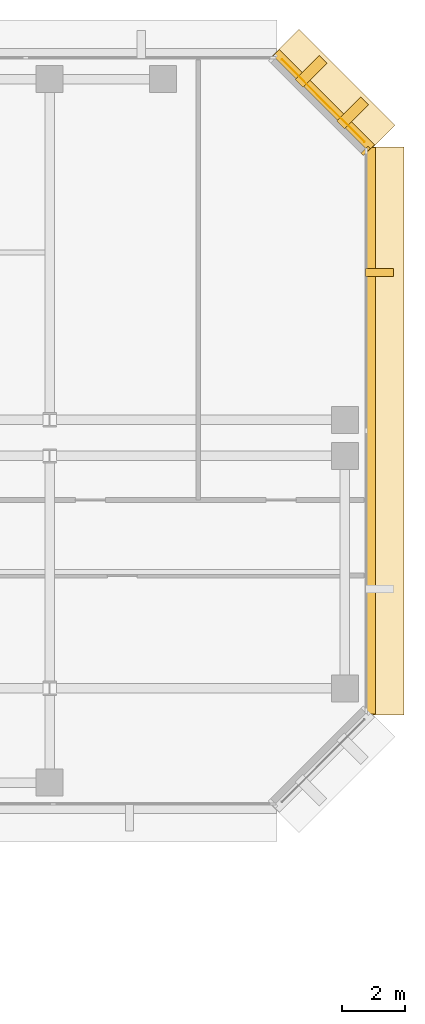
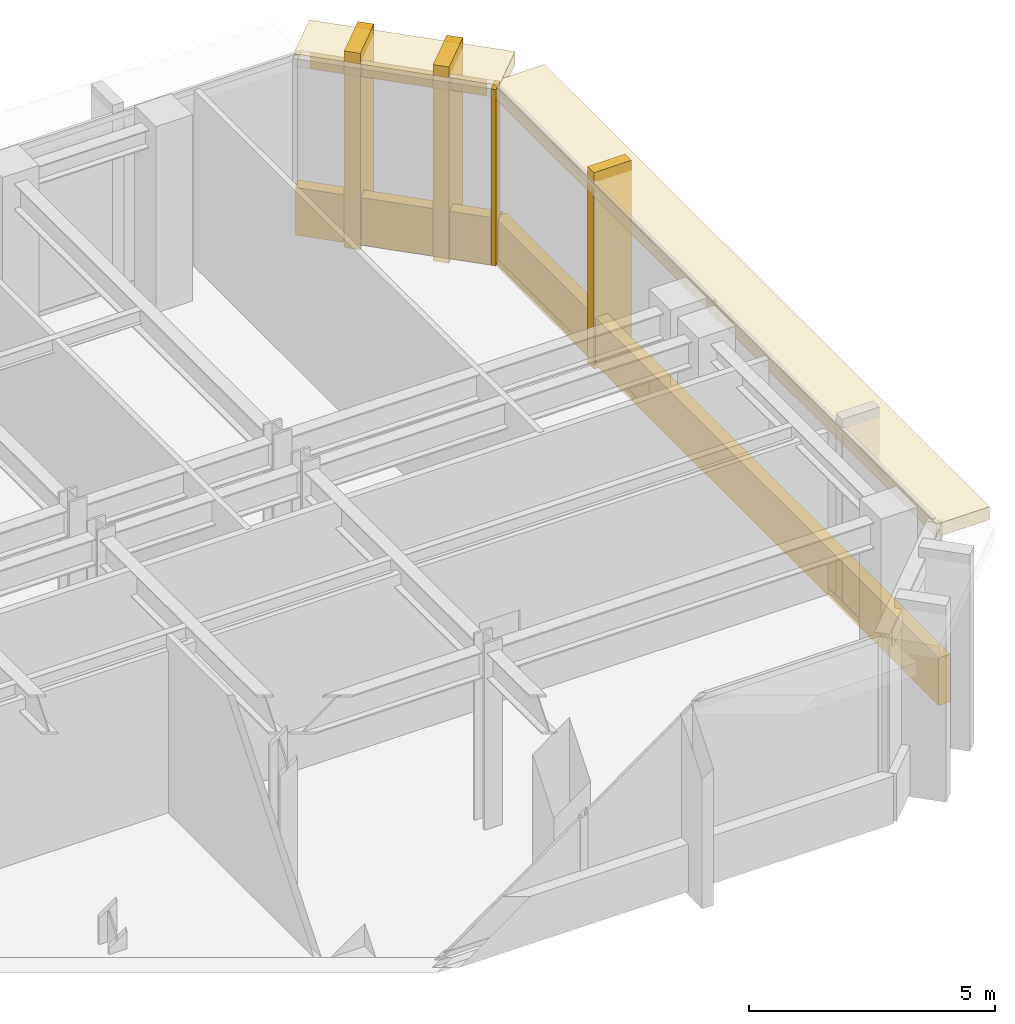
# One storey, part 13 of 13: 9 coverings.
"""IFC4 building model written with IfcOpenShell, lengths in metres."""

from ifc_helpers import new_model, si_unit, direction, frame, origin, origin_2d, place, context, subcontext, project, spatial, rectangle, extrude, material, layer, layer_set, type_object, element, save


model = new_model("IFC4")

# Units and contexts
model_context = context("Model", 3, precision=1e-05, world=origin(), true_north=direction((0.0, 1.0)))
body_context = subcontext(model_context, "Body", "Model", "MODEL_VIEW")
ifc_project = project(units=[si_unit("LENGTHUNIT", "METRE"), si_unit("AREAUNIT", "SQUARE_METRE"), si_unit("VOLUMEUNIT", "CUBIC_METRE"), si_unit("PLANEANGLEUNIT", "RADIAN"), si_unit("MASSUNIT", "GRAM", prefix="KILO")], contexts=[model_context])

# Site, building, storey
site_placement = place(None, origin())
site = spatial("IfcSite", under=ifc_project, at=site_placement, CompositionType="ELEMENT")
building_placement = place(site_placement, origin())
building = spatial("IfcBuilding", under=site, at=building_placement, Name="Kefirva Bronze Tower", CompositionType="ELEMENT")
storey_placement = place(building_placement, frame((0.0, 0.0, 130.35009765625)))
storey = spatial("IfcBuildingStorey", under=building, at=storey_placement, Name="L31", CompositionType="ELEMENT", Elevation=130.35009765625)

# Coverings
ifc_material = material(Name="Bronze anodised aluminium", Category="aluminium")
ifc_layer_1 = layer(ifc_material, 0.02001953125, Name="Bronze anodised aluminium")
ifc_layer_set_1 = layer_set([ifc_layer_1], Name="Bronze anodised aluminium")
covering_type_1 = type_object("IfcCoveringType", Name="Anodised Bronze Spandrel Cladding 20mm", PredefinedType="CLADDING", material=ifc_layer_set_1)
covering_1_placement = place(storey_placement, frame((50.239990234375, 34.0, -0.16015625), z_axis=(0.0, 0.0, 1.0), x_axis=(0.0, 1.0, 0.0)))
element("IfcCovering", 1, at=covering_1_placement, inside=storey, type_object=covering_type_1, Name="L31 Streamline Horizontal Spandrel Band 10", PredefinedType="CLADDING", context=body_context, shape_type="SweptSolid", body=[
    extrude(rectangle(XDim=18.0400390625, YDim=0.280029296875, at=origin_2d()), origin(), (0.0, 0.0, 1.0), 1.179931640625),
])
covering_2_placement = place(storey_placement, frame((48.70703125, 44.507080078125, 3.949951171875), z_axis=(0.0, 0.0, 1.0), x_axis=(-0.707106781187, 0.707106781187, 0.0)))
element("IfcCovering", 2, at=covering_2_placement, inside=storey, type_object=covering_type_1, Name="L31 Bronze Spandrel Cladding 7", PredefinedType="CLADDING", context=body_context, shape_type="SweptSolid", body=[
    extrude(rectangle(XDim=3.719482421875, YDim=0.02001953125, at=origin_2d()), origin(), (0.0, 0.0, 1.0), 0.39990234375),
])
covering_3_placement = place(storey_placement, frame((50.06201171875, 42.91162109375, -0.000244140625), z_axis=(0.0, 0.0, 1.0), x_axis=(-0.707106781187, 0.707106781187, 0.0)))
element("IfcCovering", 3, at=covering_3_placement, inside=storey, type_object=covering_type_1, Name="L31 Facade Joint Closure Panel 7S", PredefinedType="CLADDING", context=body_context, shape_type="SweptSolid", body=[
    extrude(rectangle(XDim=0.10009765625, YDim=0.320068359375, at=origin_2d()), origin(), (0.0, 0.0, 1.0), 4.3701171875),
])
covering_4_placement = place(storey_placement, frame((48.728271484375, 44.5283203125, -0.16015625), z_axis=(0.0, 0.0, 1.0), x_axis=(-0.707106781187, 0.707106781187, 0.0)))
element("IfcCovering", 4, at=covering_4_placement, inside=storey, type_object=covering_type_1, Name="L31 Streamline Horizontal Spandrel Band 11", PredefinedType="CLADDING", context=body_context, shape_type="SweptSolid", body=[
    extrude(rectangle(XDim=4.28271484375, YDim=0.280029296875, at=origin_2d()), origin(), (0.0, 0.0, 1.0), 1.179931640625),
])
ifc_layer_2 = layer(ifc_material, 0.179931640625, Name="Bronze anodised aluminium")
ifc_layer_set_2 = layer_set([ifc_layer_2], Name="Bronze anodised aluminium")
covering_type_2 = type_object("IfcCoveringType", Name="Streamline Bronze Sunshade Eyebrow Cladding 180mm", PredefinedType="CLADDING", material=ifc_layer_set_2)
covering_5_placement = place(storey_placement, frame((50.659912109375, 34.0, 4.0498046875), z_axis=(0.0, 0.0, 1.0), x_axis=(0.0, 1.0, 0.0)))
element("IfcCovering", 5, at=covering_5_placement, inside=storey, type_object=covering_type_2, Name="L31 Streamline Bronze Sunshade Eyebrow 10", PredefinedType="CLADDING", context=body_context, shape_type="SweptSolid", body=[
    extrude(rectangle(XDim=18.080078125, YDim=1.239990234375, at=origin_2d()), origin(), (0.0, 0.0, 1.0), 0.320068359375),
])
covering_6_placement = place(storey_placement, frame((49.025390625, 44.8251953125, 4.0498046875), z_axis=(0.0, 0.0, 1.0), x_axis=(-0.707106781187, 0.707106781187, 0.0)))
element("IfcCovering", 6, at=covering_6_placement, inside=storey, type_object=covering_type_2, Name="L31 Streamline Bronze Sunshade Eyebrow 11", PredefinedType="CLADDING", context=body_context, shape_type="SweptSolid", body=[
    extrude(rectangle(XDim=4.322509765625, YDim=1.239990234375, at=origin_2d()), origin(), (0.0, 0.0, 1.0), 0.320068359375),
])
ifc_layer_3 = layer(ifc_material, 0.260009765625, Name="Bronze anodised aluminium")
ifc_layer_set_3 = layer_set([ifc_layer_3], Name="Bronze anodised aluminium")
covering_type_3 = type_object("IfcCoveringType", Name="Unbroken Bronze Buttress Fin Cladding 260mm", PredefinedType="CLADDING", material=ifc_layer_set_3)
covering_7_placement = place(storey_placement, frame((50.5, 39.0400390625, -0.250244140625), z_axis=(0.0, 0.0, 1.0), x_axis=(0.0, 1.0, 0.0)))
element("IfcCovering", 7, at=covering_7_placement, inside=storey, type_object=covering_type_3, Name="L31 Unbroken Vertical Bronze Rib Fin 14", PredefinedType="CLADDING", context=body_context, shape_type="SweptSolid", body=[
    extrude(rectangle(XDim=0.260009765625, YDim=0.8798828125, at=origin_2d()), origin(), (0.0, 0.0, 1.0), 4.8701171875),
])
for number, where, z_axis, x_axis, name in (
    (8, (49.642822265625, 44.122802734375, -0.250244140625), (0.0, 0.0, 1.0), (-0.707106781187, 0.707106781187, 0.0), "L31 Chamfered Corner Buttress Fin Cladding 15"),
    (9, (48.32275390625, 45.44287109375, -0.250244140625), (0.0, 0.0, 1.0), (-0.707106781187, 0.707106781187, 0.0), "L31 Chamfered Corner Buttress Fin Cladding 16"),
):
    element("IfcCovering", number, at=place(storey_placement, frame(where, z_axis=z_axis, x_axis=x_axis)), inside=storey, type_object=covering_type_3, Name=name, PredefinedType="CLADDING", context=body_context, shape_type="SweptSolid", body=[
        extrude(rectangle(XDim=0.340087890625, YDim=1.080078125, at=origin_2d()), origin(), (0.0, 0.0, 1.0), 4.8701171875),
    ])

save(model, "model.ifc")
